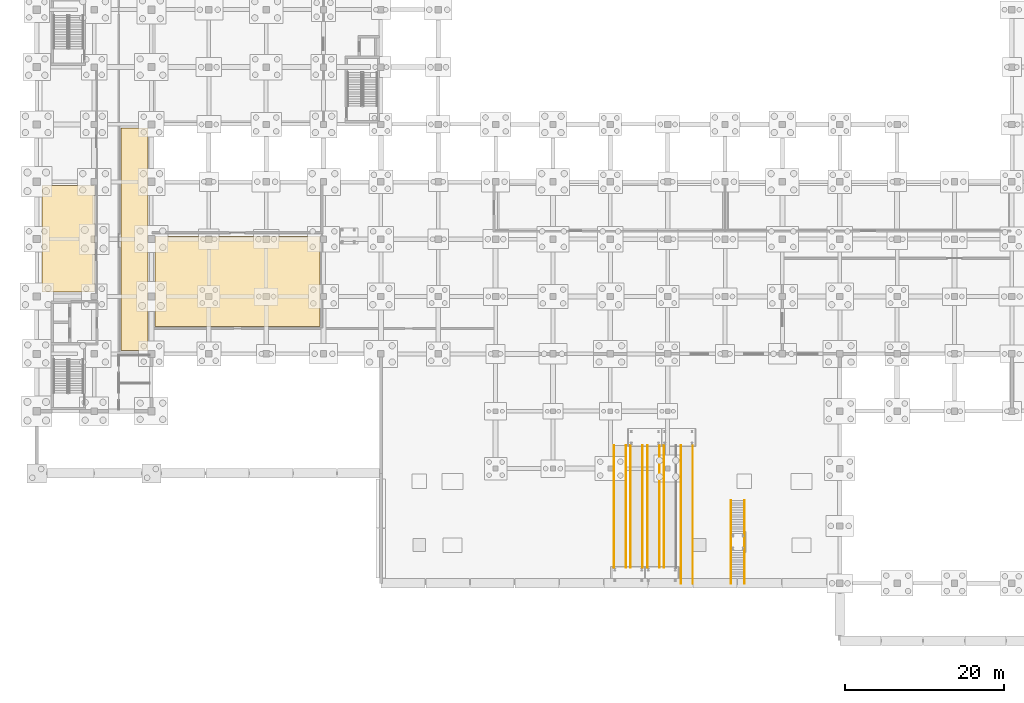
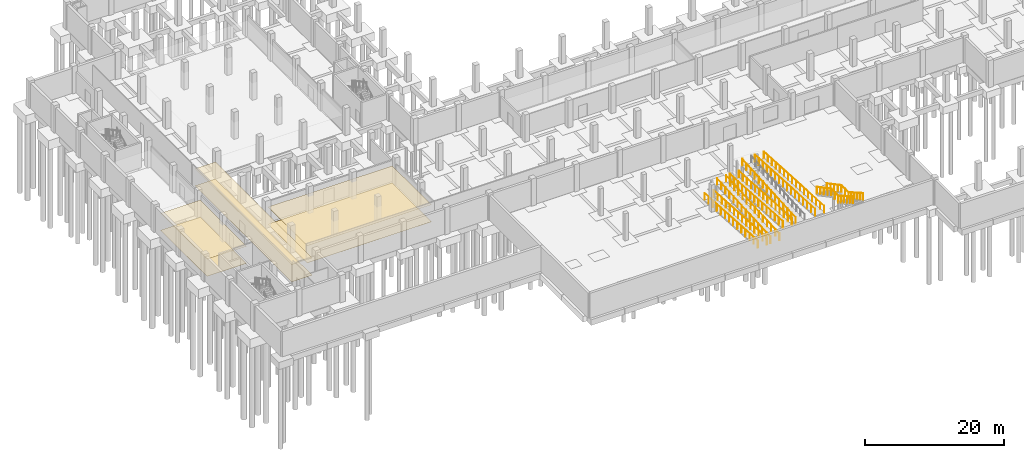
# One storey, part 33 of 38: 11 railings, 6 coverings.
"""IFC4 building model written with IfcOpenShell, lengths in metres."""

from ifc_helpers import new_model, si_unit, direction, frame, origin, origin_2d, place, context, subcontext, project, spatial, polyline, circle, outline, extrude, material, layer, layer_set, type_object, element, save


model = new_model("IFC4")

# Units and contexts
model_context = context("Model", 3, precision=1e-05, world=origin(), true_north=direction((0.0, 1.0)))
body_context = subcontext(model_context, "Body", "Model", "MODEL_VIEW")
ifc_project = project(units=[si_unit("LENGTHUNIT", "METRE"), si_unit("AREAUNIT", "SQUARE_METRE"), si_unit("VOLUMEUNIT", "CUBIC_METRE"), si_unit("PLANEANGLEUNIT", "RADIAN"), si_unit("MASSUNIT", "GRAM", prefix="KILO")], contexts=[model_context])

# Site, building, storey
site_placement = place(None, origin())
site = spatial("IfcSite", under=ifc_project, at=site_placement, CompositionType="ELEMENT")
building_placement = place(site_placement, origin())
building = spatial("IfcBuilding", under=site, at=building_placement, Name="Valkovuoma Quantum and Materials Research Institute", CompositionType="ELEMENT")
storey_placement = place(building_placement, frame((0.0, 0.0, -4.800048828125)))
storey = spatial("IfcBuildingStorey", under=building, at=storey_placement, Name="B1", CompositionType="ELEMENT", Elevation=-4.800048828125)

# Coverings
ifc_material_1 = material(Name="Cleanable acoustic mineral-fibre suspended ceiling", Category="masonry")
ifc_layer_1 = layer(ifc_material_1, 0.02490234375)
ifc_layer_set_1 = layer_set([ifc_layer_1], Name="Cleanable acoustic mineral-fibre suspended ceiling")
covering_type_1 = type_object("IfcCoveringType", Name="Cov-CEIL-01", PredefinedType="CEILING", material=ifc_layer_set_1)
covering_1_placement = place(storey_placement, frame((0.0, 0.0, 3.0)))
element("IfcCovering", 1, at=covering_1_placement, inside=storey, type_object=covering_type_1, Name="B1 acoustic ceiling 0001", PredefinedType="CEILING", context=body_context, shape_type="SweptSolid", body=[
    extrude(outline(polyline([(0.64990234375, 43.75), (7.25, 43.75), (7.25, 57.14990234375), (0.64990234375, 57.14990234375), (0.64990234375, 43.75)])), origin(), (0.0, 0.0, 1.0), 0.025146484375),
])
covering_2_placement = place(storey_placement, frame((0.0, 0.0, 3.0)))
element("IfcCovering", 2, at=covering_2_placement, inside=storey, type_object=covering_type_1, Name="B1 acoustic ceiling 0003", PredefinedType="CEILING", context=body_context, shape_type="SweptSolid", body=[
    extrude(outline(polyline([(10.550048828125, 36.449951171875), (13.949951171875, 36.449951171875), (13.949951171875, 64.35009765625), (10.550048828125, 64.35009765625), (10.550048828125, 36.449951171875)])), origin(), (0.0, 0.0, 1.0), 0.025146484375),
])
covering_3_placement = place(storey_placement, frame((0.0, 0.0, 3.0)))
element("IfcCovering", 3, at=covering_3_placement, inside=storey, type_object=covering_type_1, Name="B1 acoustic ceiling 0004", PredefinedType="CEILING", context=body_context, shape_type="SweptSolid", body=[
    extrude(outline(polyline([(14.85009765625, 39.449951171875), (35.550048828125, 39.449951171875), (35.550048828125, 50.75), (14.85009765625, 50.75), (14.85009765625, 39.449951171875)])), origin(), (0.0, 0.0, 1.0), 0.025146484375),
])
ifc_material_2 = material(Name="Seamless dissipative laboratory resin flooring", Category="masonry")
ifc_layer_2 = layer(ifc_material_2, 0.014892578125)
ifc_layer_set_2 = layer_set([ifc_layer_2], Name="Seamless dissipative laboratory resin flooring")
covering_type_2 = type_object("IfcCoveringType", Name="Cov-FLOR-01", PredefinedType="FLOORING", material=ifc_layer_set_2)
covering_4_placement = place(storey_placement, origin())
element("IfcCovering", 4, at=covering_4_placement, inside=storey, type_object=covering_type_2, Name="B1 resin flooring 0001", PredefinedType="FLOORING", context=body_context, shape_type="SweptSolid", body=[
    extrude(outline(polyline([(0.64990234375, 43.75), (7.25, 43.75), (7.25, 57.14990234375), (0.64990234375, 57.14990234375), (0.64990234375, 43.75)])), origin(), (0.0, 0.0, 1.0), 0.01513671875),
])
covering_5_placement = place(storey_placement, origin())
element("IfcCovering", 5, at=covering_5_placement, inside=storey, type_object=covering_type_2, Name="B1 resin flooring 0003", PredefinedType="FLOORING", context=body_context, shape_type="SweptSolid", body=[
    extrude(outline(polyline([(10.550048828125, 36.449951171875), (13.949951171875, 36.449951171875), (13.949951171875, 64.35009765625), (10.550048828125, 64.35009765625), (10.550048828125, 36.449951171875)])), origin(), (0.0, 0.0, 1.0), 0.01513671875),
])
covering_6_placement = place(storey_placement, origin())
element("IfcCovering", 6, at=covering_6_placement, inside=storey, type_object=covering_type_2, Name="B1 resin flooring 0004", PredefinedType="FLOORING", context=body_context, shape_type="SweptSolid", body=[
    extrude(outline(polyline([(14.85009765625, 39.449951171875), (35.550048828125, 39.449951171875), (35.550048828125, 50.75), (14.85009765625, 50.75), (14.85009765625, 39.449951171875)])), origin(), (0.0, 0.0, 1.0), 0.01513671875),
])

# Railings
ifc_material_3 = material(Name="Hot-dip galvanised and powder-coated steel guardrail", Category="steel")
railing_type_1 = type_object("IfcRailingType", Name="Rail-GRD-EXT", PredefinedType="BALUSTRADE", material=ifc_material_3)
railing_1_placement = place(storey_placement, frame((72.449951171875, 24.510009765625, 0.0)))
element("IfcRailing", 7, at=railing_1_placement, inside=storey, type_object=railing_type_1, Name="Forecourt ramp guard 1-W", PredefinedType="BALUSTRADE", context=body_context, shape_type="SweptSolid", body=[
    extrude(circle(Radius=0.02392578125, at=origin_2d()), frame((0.0, 0.0, 1.17578125), z_axis=(0.0, -0.998052763656, 0.06237532332), x_axis=(1.0, 0.0, 0.0)), (0.0, 0.0, 1.0), 15.39013671875),
    extrude(circle(Radius=0.02099609375, at=origin_2d()), origin(), (0.0, 0.0, 1.0), 1.15185546875),
    extrude(circle(Radius=0.02099609375, at=origin_2d()), frame((0.0, -1.181640625, 0.07373046875)), (0.0, 0.0, 1.0), 1.15185546875),
    extrude(circle(Radius=0.02099609375, at=origin_2d()), frame((0.0, -2.363037109375, 0.147705078125)), (0.0, 0.0, 1.0), 1.15185546875),
    extrude(circle(Radius=0.02099609375, at=origin_2d()), frame((0.0, -3.544677734375, 0.221435546875)), (0.0, 0.0, 1.0), 1.15185546875),
    extrude(circle(Radius=0.02099609375, at=origin_2d()), frame((0.0, -4.72607421875, 0.29541015625)), (0.0, 0.0, 1.0), 1.15185546875),
    extrude(circle(Radius=0.02099609375, at=origin_2d()), frame((0.0, -5.90771484375, 0.369140625)), (0.0, 0.0, 1.0), 1.15185546875),
    extrude(circle(Radius=0.02099609375, at=origin_2d()), frame((0.0, -7.08935546875, 0.443115234375)), (0.0, 0.0, 1.0), 1.15185546875),
    extrude(circle(Radius=0.02099609375, at=origin_2d()), frame((0.0, -8.270751953125, 0.516845703125)), (0.0, 0.0, 1.0), 1.15185546875),
    extrude(circle(Radius=0.02099609375, at=origin_2d()), frame((0.0, -9.452392578125, 0.5908203125)), (0.0, 0.0, 1.0), 1.15185546875),
    extrude(circle(Radius=0.02099609375, at=origin_2d()), frame((0.0, -10.634033203125, 0.66455078125)), (0.0, 0.0, 1.0), 1.15185546875),
    extrude(circle(Radius=0.02099609375, at=origin_2d()), frame((0.0, -11.8154296875, 0.738525390625)), (0.0, 0.0, 1.0), 1.15185546875),
    extrude(circle(Radius=0.02099609375, at=origin_2d()), frame((0.0, -12.9970703125, 0.812255859375)), (0.0, 0.0, 1.0), 1.15185546875),
    extrude(circle(Radius=0.02099609375, at=origin_2d()), frame((0.0, -14.178466796875, 0.88623046875)), (0.0, 0.0, 1.0), 1.15185546875),
    extrude(circle(Radius=0.02099609375, at=origin_2d()), frame((0.0, -15.360107421875, 0.9599609375)), (0.0, 0.0, 1.0), 1.15185546875),
])
railing_2_placement = place(storey_placement, frame((73.949951171875, 24.510009765625, 0.0)))
element("IfcRailing", 8, at=railing_2_placement, inside=storey, type_object=railing_type_1, Name="Forecourt ramp guard 1-E", PredefinedType="BALUSTRADE", context=body_context, shape_type="SweptSolid", body=[
    extrude(circle(Radius=0.02392578125, at=origin_2d()), frame((0.0, 0.0, 1.17578125), z_axis=(0.0, -0.998052763656, 0.06237532332), x_axis=(1.0, 0.0, 0.0)), (0.0, 0.0, 1.0), 15.39013671875),
    extrude(circle(Radius=0.02099609375, at=origin_2d()), origin(), (0.0, 0.0, 1.0), 1.15185546875),
    extrude(circle(Radius=0.02099609375, at=origin_2d()), frame((0.0, -1.181640625, 0.07373046875)), (0.0, 0.0, 1.0), 1.15185546875),
    extrude(circle(Radius=0.02099609375, at=origin_2d()), frame((0.0, -2.363037109375, 0.147705078125)), (0.0, 0.0, 1.0), 1.15185546875),
    extrude(circle(Radius=0.02099609375, at=origin_2d()), frame((0.0, -3.544677734375, 0.221435546875)), (0.0, 0.0, 1.0), 1.15185546875),
    extrude(circle(Radius=0.02099609375, at=origin_2d()), frame((0.0, -4.72607421875, 0.29541015625)), (0.0, 0.0, 1.0), 1.15185546875),
    extrude(circle(Radius=0.02099609375, at=origin_2d()), frame((0.0, -5.90771484375, 0.369140625)), (0.0, 0.0, 1.0), 1.15185546875),
    extrude(circle(Radius=0.02099609375, at=origin_2d()), frame((0.0, -7.08935546875, 0.443115234375)), (0.0, 0.0, 1.0), 1.15185546875),
    extrude(circle(Radius=0.02099609375, at=origin_2d()), frame((0.0, -8.270751953125, 0.516845703125)), (0.0, 0.0, 1.0), 1.15185546875),
    extrude(circle(Radius=0.02099609375, at=origin_2d()), frame((0.0, -9.452392578125, 0.5908203125)), (0.0, 0.0, 1.0), 1.15185546875),
    extrude(circle(Radius=0.02099609375, at=origin_2d()), frame((0.0, -10.634033203125, 0.66455078125)), (0.0, 0.0, 1.0), 1.15185546875),
    extrude(circle(Radius=0.02099609375, at=origin_2d()), frame((0.0, -11.8154296875, 0.738525390625)), (0.0, 0.0, 1.0), 1.15185546875),
    extrude(circle(Radius=0.02099609375, at=origin_2d()), frame((0.0, -12.9970703125, 0.812255859375)), (0.0, 0.0, 1.0), 1.15185546875),
    extrude(circle(Radius=0.02099609375, at=origin_2d()), frame((0.0, -14.178466796875, 0.88623046875)), (0.0, 0.0, 1.0), 1.15185546875),
    extrude(circle(Radius=0.02099609375, at=origin_2d()), frame((0.0, -15.360107421875, 0.9599609375)), (0.0, 0.0, 1.0), 1.15185546875),
])
railing_3_placement = place(storey_placement, frame((74.550048828125, 9.14990234375, 0.9599609375)))
element("IfcRailing", 9, at=railing_3_placement, inside=storey, type_object=railing_type_1, Name="Forecourt ramp guard 2-W", PredefinedType="BALUSTRADE", context=body_context, shape_type="SweptSolid", body=[
    extrude(circle(Radius=0.02392578125, at=origin_2d()), frame((0.0, 0.0, 1.17578125), z_axis=(0.0, 0.998051775967, 0.062391125087), x_axis=(-1.0, 0.0, 0.0)), (0.0, 0.0, 1.0), 15.39013671875),
    extrude(circle(Radius=0.02099609375, at=origin_2d()), origin(), (0.0, 0.0, 1.0), 1.15185546875),
    extrude(circle(Radius=0.02099609375, at=origin_2d()), frame((0.0, 1.181640625, 0.073974609375)), (0.0, 0.0, 1.0), 1.15185546875),
    extrude(circle(Radius=0.02099609375, at=origin_2d()), frame((0.0, 2.363037109375, 0.147705078125)), (0.0, 0.0, 1.0), 1.15185546875),
    extrude(circle(Radius=0.02099609375, at=origin_2d()), frame((0.0, 3.544677734375, 0.2216796875)), (0.0, 0.0, 1.0), 1.15185546875),
    extrude(circle(Radius=0.02099609375, at=origin_2d()), frame((0.0, 4.72607421875, 0.29541015625)), (0.0, 0.0, 1.0), 1.15185546875),
    extrude(circle(Radius=0.02099609375, at=origin_2d()), frame((0.0, 5.90771484375, 0.369384765625)), (0.0, 0.0, 1.0), 1.15185546875),
    extrude(circle(Radius=0.02099609375, at=origin_2d()), frame((0.0, 7.08935546875, 0.443115234375)), (0.0, 0.0, 1.0), 1.15185546875),
    extrude(circle(Radius=0.02099609375, at=origin_2d()), frame((0.0, 8.270751953125, 0.51708984375)), (0.0, 0.0, 1.0), 1.15185546875),
    extrude(circle(Radius=0.02099609375, at=origin_2d()), frame((0.0, 9.452392578125, 0.5908203125)), (0.0, 0.0, 1.0), 1.15185546875),
    extrude(circle(Radius=0.02099609375, at=origin_2d()), frame((0.0, 10.634033203125, 0.664794921875)), (0.0, 0.0, 1.0), 1.15185546875),
    extrude(circle(Radius=0.02099609375, at=origin_2d()), frame((0.0, 11.8154296875, 0.738525390625)), (0.0, 0.0, 1.0), 1.15185546875),
    extrude(circle(Radius=0.02099609375, at=origin_2d()), frame((0.0, 12.9970703125, 0.8125)), (0.0, 0.0, 1.0), 1.15185546875),
    extrude(circle(Radius=0.02099609375, at=origin_2d()), frame((0.0, 14.178466796875, 0.88623046875)), (0.0, 0.0, 1.0), 1.15185546875),
    extrude(circle(Radius=0.02099609375, at=origin_2d()), frame((0.0, 15.360107421875, 0.960205078125)), (0.0, 0.0, 1.0), 1.15185546875),
])
railing_4_placement = place(storey_placement, frame((76.050048828125, 9.14990234375, 0.9599609375)))
element("IfcRailing", 10, at=railing_4_placement, inside=storey, type_object=railing_type_1, Name="Forecourt ramp guard 2-E", PredefinedType="BALUSTRADE", context=body_context, shape_type="SweptSolid", body=[
    extrude(circle(Radius=0.02392578125, at=origin_2d()), frame((0.0, 0.0, 1.17578125), z_axis=(0.0, 0.998051775967, 0.062391125087), x_axis=(-1.0, 0.0, 0.0)), (0.0, 0.0, 1.0), 15.39013671875),
    extrude(circle(Radius=0.02099609375, at=origin_2d()), origin(), (0.0, 0.0, 1.0), 1.15185546875),
    extrude(circle(Radius=0.02099609375, at=origin_2d()), frame((0.0, 1.181640625, 0.073974609375)), (0.0, 0.0, 1.0), 1.15185546875),
    extrude(circle(Radius=0.02099609375, at=origin_2d()), frame((0.0, 2.363037109375, 0.147705078125)), (0.0, 0.0, 1.0), 1.15185546875),
    extrude(circle(Radius=0.02099609375, at=origin_2d()), frame((0.0, 3.544677734375, 0.2216796875)), (0.0, 0.0, 1.0), 1.15185546875),
    extrude(circle(Radius=0.02099609375, at=origin_2d()), frame((0.0, 4.72607421875, 0.29541015625)), (0.0, 0.0, 1.0), 1.15185546875),
    extrude(circle(Radius=0.02099609375, at=origin_2d()), frame((0.0, 5.90771484375, 0.369384765625)), (0.0, 0.0, 1.0), 1.15185546875),
    extrude(circle(Radius=0.02099609375, at=origin_2d()), frame((0.0, 7.08935546875, 0.443115234375)), (0.0, 0.0, 1.0), 1.15185546875),
    extrude(circle(Radius=0.02099609375, at=origin_2d()), frame((0.0, 8.270751953125, 0.51708984375)), (0.0, 0.0, 1.0), 1.15185546875),
    extrude(circle(Radius=0.02099609375, at=origin_2d()), frame((0.0, 9.452392578125, 0.5908203125)), (0.0, 0.0, 1.0), 1.15185546875),
    extrude(circle(Radius=0.02099609375, at=origin_2d()), frame((0.0, 10.634033203125, 0.664794921875)), (0.0, 0.0, 1.0), 1.15185546875),
    extrude(circle(Radius=0.02099609375, at=origin_2d()), frame((0.0, 11.8154296875, 0.738525390625)), (0.0, 0.0, 1.0), 1.15185546875),
    extrude(circle(Radius=0.02099609375, at=origin_2d()), frame((0.0, 12.9970703125, 0.8125)), (0.0, 0.0, 1.0), 1.15185546875),
    extrude(circle(Radius=0.02099609375, at=origin_2d()), frame((0.0, 14.178466796875, 0.88623046875)), (0.0, 0.0, 1.0), 1.15185546875),
    extrude(circle(Radius=0.02099609375, at=origin_2d()), frame((0.0, 15.360107421875, 0.960205078125)), (0.0, 0.0, 1.0), 1.15185546875),
])
railing_5_placement = place(storey_placement, frame((76.64990234375, 24.510009765625, 1.920166015625)))
element("IfcRailing", 11, at=railing_5_placement, inside=storey, type_object=railing_type_1, Name="Forecourt ramp guard 3-W", PredefinedType="BALUSTRADE", context=body_context, shape_type="SweptSolid", body=[
    extrude(circle(Radius=0.02392578125, at=origin_2d()), frame((0.0, 0.0, 1.17578125), z_axis=(0.0, -0.998052763656, 0.06237532332), x_axis=(1.0, 0.0, 0.0)), (0.0, 0.0, 1.0), 15.39013671875),
    extrude(circle(Radius=0.02099609375, at=origin_2d()), origin(), (0.0, 0.0, 1.0), 1.15185546875),
    extrude(circle(Radius=0.02099609375, at=origin_2d()), frame((0.0, -1.181640625, 0.07373046875)), (0.0, 0.0, 1.0), 1.15185546875),
    extrude(circle(Radius=0.02099609375, at=origin_2d()), frame((0.0, -2.363037109375, 0.147705078125)), (0.0, 0.0, 1.0), 1.15185546875),
    extrude(circle(Radius=0.02099609375, at=origin_2d()), frame((0.0, -3.544677734375, 0.221435546875)), (0.0, 0.0, 1.0), 1.15185546875),
    extrude(circle(Radius=0.02099609375, at=origin_2d()), frame((0.0, -4.72607421875, 0.29541015625)), (0.0, 0.0, 1.0), 1.15185546875),
    extrude(circle(Radius=0.02099609375, at=origin_2d()), frame((0.0, -5.90771484375, 0.369140625)), (0.0, 0.0, 1.0), 1.15185546875),
    extrude(circle(Radius=0.02099609375, at=origin_2d()), frame((0.0, -7.08935546875, 0.443115234375)), (0.0, 0.0, 1.0), 1.15185546875),
    extrude(circle(Radius=0.02099609375, at=origin_2d()), frame((0.0, -8.270751953125, 0.516845703125)), (0.0, 0.0, 1.0), 1.15185546875),
    extrude(circle(Radius=0.02099609375, at=origin_2d()), frame((0.0, -9.452392578125, 0.5908203125)), (0.0, 0.0, 1.0), 1.15185546875),
    extrude(circle(Radius=0.02099609375, at=origin_2d()), frame((0.0, -10.634033203125, 0.66455078125)), (0.0, 0.0, 1.0), 1.15185546875),
    extrude(circle(Radius=0.02099609375, at=origin_2d()), frame((0.0, -11.8154296875, 0.738525390625)), (0.0, 0.0, 1.0), 1.15185546875),
    extrude(circle(Radius=0.02099609375, at=origin_2d()), frame((0.0, -12.9970703125, 0.812255859375)), (0.0, 0.0, 1.0), 1.15185546875),
    extrude(circle(Radius=0.02099609375, at=origin_2d()), frame((0.0, -14.178466796875, 0.88623046875)), (0.0, 0.0, 1.0), 1.15185546875),
    extrude(circle(Radius=0.02099609375, at=origin_2d()), frame((0.0, -15.360107421875, 0.9599609375)), (0.0, 0.0, 1.0), 1.15185546875),
])
railing_6_placement = place(storey_placement, frame((78.14990234375, 24.510009765625, 1.920166015625)))
element("IfcRailing", 12, at=railing_6_placement, inside=storey, type_object=railing_type_1, Name="Forecourt ramp guard 3-E", PredefinedType="BALUSTRADE", context=body_context, shape_type="SweptSolid", body=[
    extrude(circle(Radius=0.02392578125, at=origin_2d()), frame((0.0, 0.0, 1.17578125), z_axis=(0.0, -0.998052763656, 0.06237532332), x_axis=(1.0, 0.0, 0.0)), (0.0, 0.0, 1.0), 15.39013671875),
    extrude(circle(Radius=0.02099609375, at=origin_2d()), origin(), (0.0, 0.0, 1.0), 1.15185546875),
    extrude(circle(Radius=0.02099609375, at=origin_2d()), frame((0.0, -1.181640625, 0.07373046875)), (0.0, 0.0, 1.0), 1.15185546875),
    extrude(circle(Radius=0.02099609375, at=origin_2d()), frame((0.0, -2.363037109375, 0.147705078125)), (0.0, 0.0, 1.0), 1.15185546875),
    extrude(circle(Radius=0.02099609375, at=origin_2d()), frame((0.0, -3.544677734375, 0.221435546875)), (0.0, 0.0, 1.0), 1.15185546875),
    extrude(circle(Radius=0.02099609375, at=origin_2d()), frame((0.0, -4.72607421875, 0.29541015625)), (0.0, 0.0, 1.0), 1.15185546875),
    extrude(circle(Radius=0.02099609375, at=origin_2d()), frame((0.0, -5.90771484375, 0.369140625)), (0.0, 0.0, 1.0), 1.15185546875),
    extrude(circle(Radius=0.02099609375, at=origin_2d()), frame((0.0, -7.08935546875, 0.443115234375)), (0.0, 0.0, 1.0), 1.15185546875),
    extrude(circle(Radius=0.02099609375, at=origin_2d()), frame((0.0, -8.270751953125, 0.516845703125)), (0.0, 0.0, 1.0), 1.15185546875),
    extrude(circle(Radius=0.02099609375, at=origin_2d()), frame((0.0, -9.452392578125, 0.5908203125)), (0.0, 0.0, 1.0), 1.15185546875),
    extrude(circle(Radius=0.02099609375, at=origin_2d()), frame((0.0, -10.634033203125, 0.66455078125)), (0.0, 0.0, 1.0), 1.15185546875),
    extrude(circle(Radius=0.02099609375, at=origin_2d()), frame((0.0, -11.8154296875, 0.738525390625)), (0.0, 0.0, 1.0), 1.15185546875),
    extrude(circle(Radius=0.02099609375, at=origin_2d()), frame((0.0, -12.9970703125, 0.812255859375)), (0.0, 0.0, 1.0), 1.15185546875),
    extrude(circle(Radius=0.02099609375, at=origin_2d()), frame((0.0, -14.178466796875, 0.88623046875)), (0.0, 0.0, 1.0), 1.15185546875),
    extrude(circle(Radius=0.02099609375, at=origin_2d()), frame((0.0, -15.360107421875, 0.9599609375)), (0.0, 0.0, 1.0), 1.15185546875),
])
railing_7_placement = place(storey_placement, frame((78.75, 9.14990234375, 2.880126953125)))
element("IfcRailing", 13, at=railing_7_placement, inside=storey, type_object=railing_type_1, Name="Forecourt ramp guard 4-W", PredefinedType="BALUSTRADE", context=body_context, shape_type="SweptSolid", body=[
    extrude(circle(Radius=0.02392578125, at=origin_2d()), frame((0.0, 0.0, 1.17578125), z_axis=(0.0, 0.998052763656, 0.06237532332), x_axis=(-1.0, 0.0, 0.0)), (0.0, 0.0, 1.0), 15.39013671875),
    extrude(circle(Radius=0.02099609375, at=origin_2d()), origin(), (0.0, 0.0, 1.0), 1.15185546875),
    extrude(circle(Radius=0.02099609375, at=origin_2d()), frame((0.0, 1.181640625, 0.07373046875)), (0.0, 0.0, 1.0), 1.15185546875),
    extrude(circle(Radius=0.02099609375, at=origin_2d()), frame((0.0, 2.363037109375, 0.147705078125)), (0.0, 0.0, 1.0), 1.15185546875),
    extrude(circle(Radius=0.02099609375, at=origin_2d()), frame((0.0, 3.544677734375, 0.221435546875)), (0.0, 0.0, 1.0), 1.15185546875),
    extrude(circle(Radius=0.02099609375, at=origin_2d()), frame((0.0, 4.72607421875, 0.29541015625)), (0.0, 0.0, 1.0), 1.15185546875),
    extrude(circle(Radius=0.02099609375, at=origin_2d()), frame((0.0, 5.90771484375, 0.369140625)), (0.0, 0.0, 1.0), 1.15185546875),
    extrude(circle(Radius=0.02099609375, at=origin_2d()), frame((0.0, 7.08935546875, 0.443115234375)), (0.0, 0.0, 1.0), 1.15185546875),
    extrude(circle(Radius=0.02099609375, at=origin_2d()), frame((0.0, 8.270751953125, 0.516845703125)), (0.0, 0.0, 1.0), 1.15185546875),
    extrude(circle(Radius=0.02099609375, at=origin_2d()), frame((0.0, 9.452392578125, 0.5908203125)), (0.0, 0.0, 1.0), 1.15185546875),
    extrude(circle(Radius=0.02099609375, at=origin_2d()), frame((0.0, 10.634033203125, 0.66455078125)), (0.0, 0.0, 1.0), 1.15185546875),
    extrude(circle(Radius=0.02099609375, at=origin_2d()), frame((0.0, 11.8154296875, 0.738525390625)), (0.0, 0.0, 1.0), 1.15185546875),
    extrude(circle(Radius=0.02099609375, at=origin_2d()), frame((0.0, 12.9970703125, 0.812255859375)), (0.0, 0.0, 1.0), 1.15185546875),
    extrude(circle(Radius=0.02099609375, at=origin_2d()), frame((0.0, 14.178466796875, 0.88623046875)), (0.0, 0.0, 1.0), 1.15185546875),
    extrude(circle(Radius=0.02099609375, at=origin_2d()), frame((0.0, 15.360107421875, 0.9599609375)), (0.0, 0.0, 1.0), 1.15185546875),
])
railing_8_placement = place(storey_placement, frame((80.85009765625, 24.510009765625, 3.840087890625)))
element("IfcRailing", 14, at=railing_8_placement, inside=storey, type_object=railing_type_1, Name="Forecourt ramp guard 5-W", PredefinedType="BALUSTRADE", context=body_context, shape_type="SweptSolid", body=[
    extrude(circle(Radius=0.02392578125, at=origin_2d()), frame((0.0, 0.0, 1.17578125), z_axis=(0.0, -0.998474621117, 0.05521259806), x_axis=(1.0, 0.0, 0.0)), (0.0, 0.0, 1.0), 17.38671875),
    extrude(circle(Radius=0.02099609375, at=origin_2d()), origin(), (0.0, 0.0, 1.0), 1.15185546875),
    extrude(circle(Radius=0.02099609375, at=origin_2d()), frame((0.0, -1.1572265625, 0.06396484375)), (0.0, 0.0, 1.0), 1.15185546875),
    extrude(circle(Radius=0.02099609375, at=origin_2d()), frame((0.0, -2.314697265625, 0.1279296875)), (0.0, 0.0, 1.0), 1.15185546875),
    extrude(circle(Radius=0.02099609375, at=origin_2d()), frame((0.0, -3.471923828125, 0.19189453125)), (0.0, 0.0, 1.0), 1.15185546875),
    extrude(circle(Radius=0.02099609375, at=origin_2d()), frame((0.0, -4.62939453125, 0.256103515625)), (0.0, 0.0, 1.0), 1.15185546875),
    extrude(circle(Radius=0.02099609375, at=origin_2d()), frame((0.0, -5.78662109375, 0.320068359375)), (0.0, 0.0, 1.0), 1.15185546875),
    extrude(circle(Radius=0.02099609375, at=origin_2d()), frame((0.0, -6.944091796875, 0.384033203125)), (0.0, 0.0, 1.0), 1.15185546875),
    extrude(circle(Radius=0.02099609375, at=origin_2d()), frame((0.0, -8.101318359375, 0.447998046875)), (0.0, 0.0, 1.0), 1.15185546875),
    extrude(circle(Radius=0.02099609375, at=origin_2d()), frame((0.0, -9.2587890625, 0.511962890625)), (0.0, 0.0, 1.0), 1.15185546875),
    extrude(circle(Radius=0.02099609375, at=origin_2d()), frame((0.0, -10.416015625, 0.575927734375)), (0.0, 0.0, 1.0), 1.15185546875),
    extrude(circle(Radius=0.02099609375, at=origin_2d()), frame((0.0, -11.573486328125, 0.639892578125)), (0.0, 0.0, 1.0), 1.15185546875),
    extrude(circle(Radius=0.02099609375, at=origin_2d()), frame((0.0, -12.730712890625, 0.703857421875)), (0.0, 0.0, 1.0), 1.15185546875),
    extrude(circle(Radius=0.02099609375, at=origin_2d()), frame((0.0, -13.88818359375, 0.76806640625)), (0.0, 0.0, 1.0), 1.15185546875),
    extrude(circle(Radius=0.02099609375, at=origin_2d()), frame((0.0, -15.04541015625, 0.83203125)), (0.0, 0.0, 1.0), 1.15185546875),
    extrude(circle(Radius=0.02099609375, at=origin_2d()), frame((0.0, -16.202880859375, 0.89599609375)), (0.0, 0.0, 1.0), 1.15185546875),
    extrude(circle(Radius=0.02099609375, at=origin_2d()), frame((0.0, -17.360107421875, 0.9599609375)), (0.0, 0.0, 1.0), 1.15185546875),
])
railing_9_placement = place(storey_placement, frame((82.35009765625, 24.510009765625, 3.840087890625)))
element("IfcRailing", 15, at=railing_9_placement, inside=storey, type_object=railing_type_1, Name="Forecourt ramp guard 5-E", PredefinedType="BALUSTRADE", context=body_context, shape_type="SweptSolid", body=[
    extrude(circle(Radius=0.02392578125, at=origin_2d()), frame((0.0, 0.0, 1.17578125), z_axis=(0.0, -0.998474621117, 0.05521259806), x_axis=(1.0, 0.0, 0.0)), (0.0, 0.0, 1.0), 17.38671875),
    extrude(circle(Radius=0.02099609375, at=origin_2d()), origin(), (0.0, 0.0, 1.0), 1.15185546875),
    extrude(circle(Radius=0.02099609375, at=origin_2d()), frame((0.0, -1.1572265625, 0.06396484375)), (0.0, 0.0, 1.0), 1.15185546875),
    extrude(circle(Radius=0.02099609375, at=origin_2d()), frame((0.0, -2.314697265625, 0.1279296875)), (0.0, 0.0, 1.0), 1.15185546875),
    extrude(circle(Radius=0.02099609375, at=origin_2d()), frame((0.0, -3.471923828125, 0.19189453125)), (0.0, 0.0, 1.0), 1.15185546875),
    extrude(circle(Radius=0.02099609375, at=origin_2d()), frame((0.0, -4.62939453125, 0.256103515625)), (0.0, 0.0, 1.0), 1.15185546875),
    extrude(circle(Radius=0.02099609375, at=origin_2d()), frame((0.0, -5.78662109375, 0.320068359375)), (0.0, 0.0, 1.0), 1.15185546875),
    extrude(circle(Radius=0.02099609375, at=origin_2d()), frame((0.0, -6.944091796875, 0.384033203125)), (0.0, 0.0, 1.0), 1.15185546875),
    extrude(circle(Radius=0.02099609375, at=origin_2d()), frame((0.0, -8.101318359375, 0.447998046875)), (0.0, 0.0, 1.0), 1.15185546875),
    extrude(circle(Radius=0.02099609375, at=origin_2d()), frame((0.0, -9.2587890625, 0.511962890625)), (0.0, 0.0, 1.0), 1.15185546875),
    extrude(circle(Radius=0.02099609375, at=origin_2d()), frame((0.0, -10.416015625, 0.575927734375)), (0.0, 0.0, 1.0), 1.15185546875),
    extrude(circle(Radius=0.02099609375, at=origin_2d()), frame((0.0, -11.573486328125, 0.639892578125)), (0.0, 0.0, 1.0), 1.15185546875),
    extrude(circle(Radius=0.02099609375, at=origin_2d()), frame((0.0, -12.730712890625, 0.703857421875)), (0.0, 0.0, 1.0), 1.15185546875),
    extrude(circle(Radius=0.02099609375, at=origin_2d()), frame((0.0, -13.88818359375, 0.76806640625)), (0.0, 0.0, 1.0), 1.15185546875),
    extrude(circle(Radius=0.02099609375, at=origin_2d()), frame((0.0, -15.04541015625, 0.83203125)), (0.0, 0.0, 1.0), 1.15185546875),
    extrude(circle(Radius=0.02099609375, at=origin_2d()), frame((0.0, -16.202880859375, 0.89599609375)), (0.0, 0.0, 1.0), 1.15185546875),
    extrude(circle(Radius=0.02099609375, at=origin_2d()), frame((0.0, -17.360107421875, 0.9599609375)), (0.0, 0.0, 1.0), 1.15185546875),
])
ifc_material_4 = material(Name="Painted steel stair balustrade", Category="steel")
railing_type_2 = type_object("IfcRailingType", Name="Rail-GRD-ST", PredefinedType="BALUSTRADE", material=ifc_material_4)
railing_10_placement = place(storey_placement, frame((87.14990234375, 17.60009765625, 0.16015625)))
element("IfcRailing", 16, at=railing_10_placement, inside=storey, type_object=railing_type_2, Name="Forecourt stair guard W", PredefinedType="BALUSTRADE", context=body_context, shape_type="SweptSolid", body=[
    extrude(circle(Radius=0.02392578125, at=origin_2d()), frame((0.0, 0.0, 1.17578125), z_axis=(0.0, -0.882362879185, 0.470569601054), x_axis=(1.0, 0.0, 0.0)), (0.0, 0.0, 1.0), 4.76025390625),
    extrude(circle(Radius=0.02392578125, at=origin_2d()), frame((0.0, -4.2001953125, 3.416015625), z_axis=(0.0, -1.0, 0.0), x_axis=(1.0, 0.0, 0.0)), (0.0, 0.0, 1.0), 2.0498046875),
    extrude(circle(Radius=0.02392578125, at=origin_2d()), frame((0.0, -6.25, 3.416015625), z_axis=(0.0, -0.868261776072, 0.496106327528), x_axis=(1.0, 0.0, 0.0)), (0.0, 0.0, 1.0), 4.83740234375),
    extrude(circle(Radius=0.02099609375, at=origin_2d()), origin(), (0.0, 0.0, 1.0), 1.15185546875),
    extrude(circle(Radius=0.02099609375, at=origin_2d()), frame((0.0, -1.050048828125, 0.56005859375)), (0.0, 0.0, 1.0), 1.15185546875),
    extrude(circle(Radius=0.02099609375, at=origin_2d()), frame((0.0, -2.10009765625, 1.1201171875)), (0.0, 0.0, 1.0), 1.15185546875),
    extrude(circle(Radius=0.02099609375, at=origin_2d()), frame((0.0, -3.150146484375, 1.679931640625)), (0.0, 0.0, 1.0), 1.15185546875),
    extrude(circle(Radius=0.02099609375, at=origin_2d()), frame((0.0, -4.2001953125, 2.239990234375)), (0.0, 0.0, 1.0), 1.15185546875),
    extrude(circle(Radius=0.02099609375, at=origin_2d()), frame((0.0, -5.22509765625, 2.239990234375)), (0.0, 0.0, 1.0), 1.15185546875),
    extrude(circle(Radius=0.02099609375, at=origin_2d()), frame((0.0, -6.25, 2.239990234375)), (0.0, 0.0, 1.0), 1.15185546875),
    extrude(circle(Radius=0.02099609375, at=origin_2d()), frame((0.0, -7.090087890625, 2.719970703125)), (0.0, 0.0, 1.0), 1.15185546875),
    extrude(circle(Radius=0.02099609375, at=origin_2d()), frame((0.0, -7.93017578125, 3.199951171875)), (0.0, 0.0, 1.0), 1.15185546875),
    extrude(circle(Radius=0.02099609375, at=origin_2d()), frame((0.0, -8.77001953125, 3.679931640625)), (0.0, 0.0, 1.0), 1.15185546875),
    extrude(circle(Radius=0.02099609375, at=origin_2d()), frame((0.0, -9.610107421875, 4.159912109375)), (0.0, 0.0, 1.0), 1.15185546875),
    extrude(circle(Radius=0.02099609375, at=origin_2d()), frame((0.0, -10.4501953125, 4.639892578125)), (0.0, 0.0, 1.0), 1.15185546875),
])
railing_11_placement = place(storey_placement, frame((88.85009765625, 17.60009765625, 0.16015625)))
element("IfcRailing", 17, at=railing_11_placement, inside=storey, type_object=railing_type_2, Name="Forecourt stair guard E", PredefinedType="BALUSTRADE", context=body_context, shape_type="SweptSolid", body=[
    extrude(circle(Radius=0.02392578125, at=origin_2d()), frame((0.0, 0.0, 1.17578125), z_axis=(0.0, -0.882362879185, 0.470569601054), x_axis=(1.0, 0.0, 0.0)), (0.0, 0.0, 1.0), 4.76025390625),
    extrude(circle(Radius=0.02392578125, at=origin_2d()), frame((0.0, -4.2001953125, 3.416015625), z_axis=(0.0, -1.0, 0.0), x_axis=(1.0, 0.0, 0.0)), (0.0, 0.0, 1.0), 2.0498046875),
    extrude(circle(Radius=0.02392578125, at=origin_2d()), frame((0.0, -6.25, 3.416015625), z_axis=(0.0, -0.868261776072, 0.496106327528), x_axis=(1.0, 0.0, 0.0)), (0.0, 0.0, 1.0), 4.83740234375),
    extrude(circle(Radius=0.02099609375, at=origin_2d()), origin(), (0.0, 0.0, 1.0), 1.15185546875),
    extrude(circle(Radius=0.02099609375, at=origin_2d()), frame((0.0, -1.050048828125, 0.56005859375)), (0.0, 0.0, 1.0), 1.15185546875),
    extrude(circle(Radius=0.02099609375, at=origin_2d()), frame((0.0, -2.10009765625, 1.1201171875)), (0.0, 0.0, 1.0), 1.15185546875),
    extrude(circle(Radius=0.02099609375, at=origin_2d()), frame((0.0, -3.150146484375, 1.679931640625)), (0.0, 0.0, 1.0), 1.15185546875),
    extrude(circle(Radius=0.02099609375, at=origin_2d()), frame((0.0, -4.2001953125, 2.239990234375)), (0.0, 0.0, 1.0), 1.15185546875),
    extrude(circle(Radius=0.02099609375, at=origin_2d()), frame((0.0, -5.22509765625, 2.239990234375)), (0.0, 0.0, 1.0), 1.15185546875),
    extrude(circle(Radius=0.02099609375, at=origin_2d()), frame((0.0, -6.25, 2.239990234375)), (0.0, 0.0, 1.0), 1.15185546875),
    extrude(circle(Radius=0.02099609375, at=origin_2d()), frame((0.0, -7.090087890625, 2.719970703125)), (0.0, 0.0, 1.0), 1.15185546875),
    extrude(circle(Radius=0.02099609375, at=origin_2d()), frame((0.0, -7.93017578125, 3.199951171875)), (0.0, 0.0, 1.0), 1.15185546875),
    extrude(circle(Radius=0.02099609375, at=origin_2d()), frame((0.0, -8.77001953125, 3.679931640625)), (0.0, 0.0, 1.0), 1.15185546875),
    extrude(circle(Radius=0.02099609375, at=origin_2d()), frame((0.0, -9.610107421875, 4.159912109375)), (0.0, 0.0, 1.0), 1.15185546875),
    extrude(circle(Radius=0.02099609375, at=origin_2d()), frame((0.0, -10.4501953125, 4.639892578125)), (0.0, 0.0, 1.0), 1.15185546875),
])

save(model, "model.ifc")
